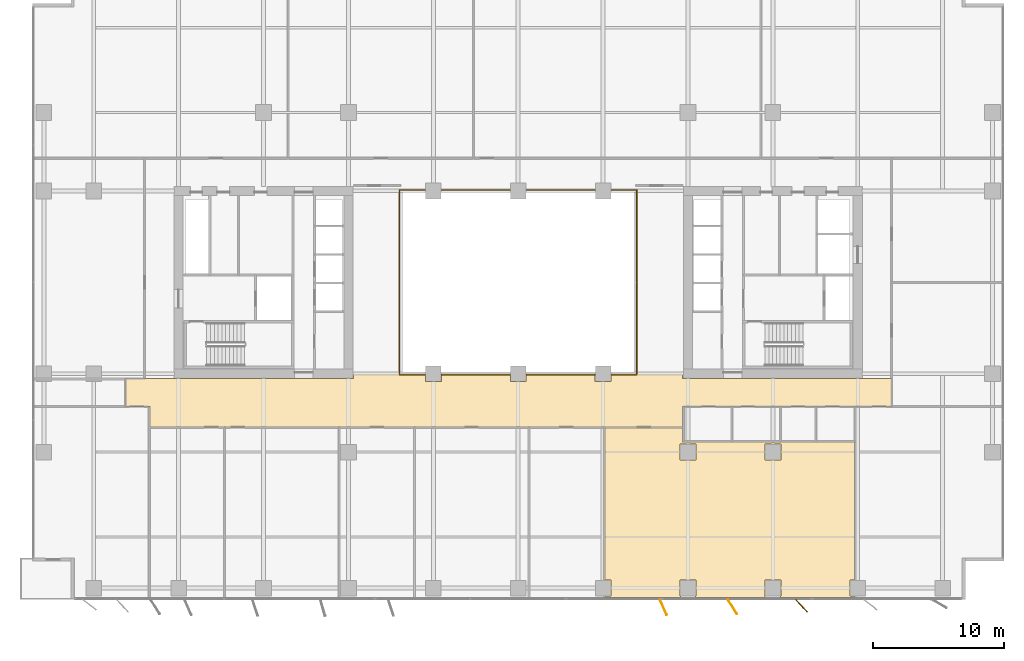
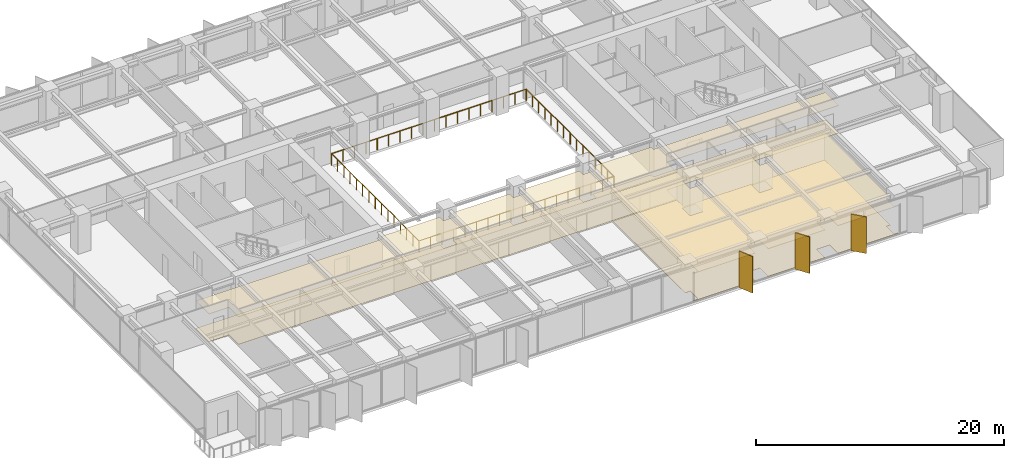
# One storey, part 18 of 20: 4 coverings, 3 shading devices, 2 railings.
"""IFC4 building model written with IfcOpenShell, lengths in metres."""

from ifc_helpers import new_model, si_unit, direction, frame, origin, origin_2d, place, context, subcontext, project, spatial, polyline, rectangle, circle, outline, extrude, material, layer, layer_set, type_object, element, save


model = new_model("IFC4")

# Units and contexts
model_context = context("Model", 3, precision=1e-05, world=origin(), true_north=direction((0.0, 1.0)))
body_context = subcontext(model_context, "Body", "Model", "MODEL_VIEW")
ifc_project = project(units=[si_unit("LENGTHUNIT", "METRE"), si_unit("AREAUNIT", "SQUARE_METRE"), si_unit("VOLUMEUNIT", "CUBIC_METRE"), si_unit("PLANEANGLEUNIT", "RADIAN"), si_unit("MASSUNIT", "GRAM", prefix="KILO")], contexts=[model_context])

# Site, building, storey
site_placement = place(None, origin())
site = spatial("IfcSite", under=ifc_project, at=site_placement, CompositionType="ELEMENT")
building_placement = place(site_placement, origin())
building = spatial("IfcBuilding", under=site, at=building_placement, Name="Putna Gate Headquarters", CompositionType="ELEMENT")
storey_placement = place(building_placement, frame((0.0, 0.0, 97.39990234375)))
storey = spatial("IfcBuildingStorey", under=building, at=storey_placement, Name="L23", CompositionType="ELEMENT", Elevation=97.39990234375)

# Coverings
ifc_material_1 = material(Name="Perforated mineral-fibre acoustic ceiling tile")
ifc_layer_1 = layer(ifc_material_1, 0.0400390625)
ifc_layer_set_1 = layer_set([ifc_layer_1], Name="Perforated mineral-fibre acoustic ceiling tile")
covering_type_1 = type_object("IfcCoveringType", Name="COV-ACOUSTIC-CEILING", PredefinedType="CEILING", material=ifc_layer_set_1)
covering_1_placement = place(storey_placement, frame((0.0, 0.0, 2.710205078125)))
element("IfcCovering", 1, at=covering_1_placement, inside=storey, type_object=covering_type_1, Name="L23 Acoustic Ceiling Covering 1", PredefinedType="CEILING", context=body_context, shape_type="SweptSolid", body=[
    extrude(outline(polyline([(10.786865234375, 16.47998046875), (10.786865234375, 14.93994140625), (51.60009765625, 14.93994140625), (51.60009765625, 16.47998046875), (67.6201171875, 16.47998046875), (67.6201171875, 18.6201171875), (51.60009765625, 18.6201171875), (51.60009765625, 18.97998046875), (46.10791015625, 18.97998046875), (46.10791015625, 18.39208984375), (44.89208984375, 18.39208984375), (44.89208984375, 18.97998046875), (39.60791015625, 18.97998046875), (39.60791015625, 18.39208984375), (38.39208984375, 18.39208984375), (38.39208984375, 18.97998046875), (33.10791015625, 18.97998046875), (33.10791015625, 18.39208984375), (31.89208984375, 18.39208984375), (31.89208984375, 18.97998046875), (26.39990234375, 18.97998046875), (26.39990234375, 18.6201171875), (8.9267578125, 18.6201171875), (8.9267578125, 16.47998046875), (10.786865234375, 16.47998046875)])), origin(), (0.0, 0.0, 1.0), 0.039794921875),
])
covering_2_placement = place(storey_placement, frame((0.0, 0.0, 2.710205078125)))
element("IfcCovering", 2, at=covering_2_placement, inside=storey, type_object=covering_type_1, Name="L23 Acoustic Ceiling Covering 2", PredefinedType="CEILING", context=body_context, shape_type="SweptSolid", body=[
    extrude(outline(polyline([(64.760009765625, 1.971923828125), (64.39208984375, 1.971923828125), (64.39208984375, 3.18798828125), (64.760009765625, 3.18798828125), (64.760009765625, 13.780029296875), (51.60009765625, 13.780029296875), (51.60009765625, 14.860107421875), (45.639892578125, 14.860107421875), (45.639892578125, 3.18798828125), (46.10791015625, 3.18798828125), (46.10791015625, 1.971923828125), (45.639892578125, 1.971923828125), (45.639892578125, 1.860107421875), (51.412109375, 1.860107421875), (51.412109375, 1.971923828125), (51.39208984375, 1.971923828125), (51.39208984375, 3.18798828125), (52.60791015625, 3.18798828125), (52.60791015625, 1.971923828125), (52.587890625, 1.971923828125), (52.587890625, 1.860107421875), (57.912109375, 1.860107421875), (57.912109375, 1.971923828125), (57.89208984375, 1.971923828125), (57.89208984375, 3.18798828125), (59.10791015625, 3.18798828125), (59.10791015625, 1.971923828125), (59.087890625, 1.971923828125), (59.087890625, 1.860107421875), (64.760009765625, 1.860107421875), (64.760009765625, 1.971923828125)]), holes=[polyline([(59.10791015625, 12.39208984375), (59.10791015625, 13.60791015625), (57.89208984375, 13.60791015625), (57.89208984375, 12.39208984375), (59.10791015625, 12.39208984375)]), polyline([(52.60791015625, 12.39208984375), (52.60791015625, 13.60791015625), (51.39208984375, 13.60791015625), (51.39208984375, 12.39208984375), (52.60791015625, 12.39208984375)])]), origin(), (0.0, 0.0, 1.0), 0.039794921875),
])
ifc_material_2 = material(Name="Calcium-sulphate raised access floor finish")
ifc_layer_2 = layer(ifc_material_2, 0.030029296875)
ifc_layer_set_2 = layer_set([ifc_layer_2], Name="Calcium-sulphate raised access floor finish")
covering_type_2 = type_object("IfcCoveringType", Name="COV-RAISED-FLOORING", PredefinedType="FLOORING", material=ifc_layer_set_2)
covering_3_placement = place(storey_placement, origin())
element("IfcCovering", 3, at=covering_3_placement, inside=storey, type_object=covering_type_2, Name="L23 Raised Access Floor Covering 1", PredefinedType="FLOORING", context=body_context, shape_type="SweptSolid", body=[
    extrude(outline(polyline([(10.786865234375, 16.47998046875), (10.786865234375, 14.93994140625), (51.60009765625, 14.93994140625), (51.60009765625, 16.47998046875), (67.6201171875, 16.47998046875), (67.6201171875, 18.6201171875), (51.60009765625, 18.6201171875), (51.60009765625, 18.97998046875), (46.10791015625, 18.97998046875), (46.10791015625, 18.39208984375), (44.89208984375, 18.39208984375), (44.89208984375, 18.97998046875), (39.60791015625, 18.97998046875), (39.60791015625, 18.39208984375), (38.39208984375, 18.39208984375), (38.39208984375, 18.97998046875), (33.10791015625, 18.97998046875), (33.10791015625, 18.39208984375), (31.89208984375, 18.39208984375), (31.89208984375, 18.97998046875), (26.39990234375, 18.97998046875), (26.39990234375, 18.6201171875), (8.9267578125, 18.6201171875), (8.9267578125, 16.47998046875), (10.786865234375, 16.47998046875)])), origin(), (0.0, 0.0, 1.0), 0.030029296875),
])
covering_4_placement = place(storey_placement, origin())
element("IfcCovering", 4, at=covering_4_placement, inside=storey, type_object=covering_type_2, Name="L23 Raised Access Floor Covering 2", PredefinedType="FLOORING", context=body_context, shape_type="SweptSolid", body=[
    extrude(outline(polyline([(64.760009765625, 1.971923828125), (64.39208984375, 1.971923828125), (64.39208984375, 3.18798828125), (64.760009765625, 3.18798828125), (64.760009765625, 13.780029296875), (51.60009765625, 13.780029296875), (51.60009765625, 14.860107421875), (45.639892578125, 14.860107421875), (45.639892578125, 3.18798828125), (46.10791015625, 3.18798828125), (46.10791015625, 1.971923828125), (45.639892578125, 1.971923828125), (45.639892578125, 1.860107421875), (51.412109375, 1.860107421875), (51.412109375, 1.971923828125), (51.39208984375, 1.971923828125), (51.39208984375, 3.18798828125), (52.60791015625, 3.18798828125), (52.60791015625, 1.971923828125), (52.587890625, 1.971923828125), (52.587890625, 1.860107421875), (57.912109375, 1.860107421875), (57.912109375, 1.971923828125), (57.89208984375, 1.971923828125), (57.89208984375, 3.18798828125), (59.10791015625, 3.18798828125), (59.10791015625, 1.971923828125), (59.087890625, 1.971923828125), (59.087890625, 1.860107421875), (64.760009765625, 1.860107421875), (64.760009765625, 1.971923828125)]), holes=[polyline([(59.10791015625, 12.39208984375), (59.10791015625, 13.60791015625), (57.89208984375, 13.60791015625), (57.89208984375, 12.39208984375), (59.10791015625, 12.39208984375)]), polyline([(52.60791015625, 12.39208984375), (52.60791015625, 13.60791015625), (51.39208984375, 13.60791015625), (51.39208984375, 12.39208984375), (52.60791015625, 12.39208984375)])]), origin(), (0.0, 0.0, 1.0), 0.030029296875),
])

# Railings
ifc_material_3 = material(Name="Anodised bronze and laminated glass atrium balustrade", Category="glass")
railing_type = type_object("IfcRailingType", Name="RAIL-ATRIUM-GUARD-1150", PredefinedType="GUARDRAIL", material=ifc_material_3)
railing_1_placement = place(storey_placement, frame((29.919921875, 25.969970703125, 0.0)))
element("IfcRailing", 5, at=railing_1_placement, inside=storey, type_object=railing_type, Name="L23 Central Atrium Glazed Balustrade South", PredefinedType="GUARDRAIL", context=body_context, shape_type="SweptSolid", body=[
    extrude(circle(Radius=0.02392578125, at=origin_2d()), frame((0.0, 0.0, 1.1259765625), z_axis=(0.0, -1.0, 0.0), x_axis=(1.0, 0.0, 0.0)), (0.0, 0.0, 1.0), 7.050048828125),
    extrude(circle(Radius=0.02392578125, at=origin_2d()), frame((0.0, -7.050048828125, 1.1259765625), z_axis=(1.0, 0.0, 0.0), x_axis=(0.0, 1.0, 0.0)), (0.0, 0.0, 1.0), 18.16015625),
    extrude(circle(Radius=0.02392578125, at=origin_2d()), frame((18.16015625, -7.050048828125, 1.1259765625), z_axis=(0.0, 1.0, 0.0), x_axis=(-1.0, 0.0, 0.0)), (0.0, 0.0, 1.0), 7.050048828125),
    extrude(circle(Radius=0.02099609375, at=origin_2d()), origin(), (0.0, 0.0, 1.0), 1.101806640625),
    extrude(circle(Radius=0.02099609375, at=origin_2d()), frame((0.0, -1.007080078125, 0.0)), (0.0, 0.0, 1.0), 1.101806640625),
    extrude(circle(Radius=0.02099609375, at=origin_2d()), frame((0.0, -2.014404296875, 0.0)), (0.0, 0.0, 1.0), 1.101806640625),
    extrude(circle(Radius=0.02099609375, at=origin_2d()), frame((0.0, -3.021484375, 0.0)), (0.0, 0.0, 1.0), 1.101806640625),
    extrude(circle(Radius=0.02099609375, at=origin_2d()), frame((0.0, -4.028564453125, 0.0)), (0.0, 0.0, 1.0), 1.101806640625),
    extrude(circle(Radius=0.02099609375, at=origin_2d()), frame((0.0, -5.03564453125, 0.0)), (0.0, 0.0, 1.0), 1.101806640625),
    extrude(circle(Radius=0.02099609375, at=origin_2d()), frame((0.0, -6.04296875, 0.0)), (0.0, 0.0, 1.0), 1.101806640625),
    extrude(circle(Radius=0.02099609375, at=origin_2d()), frame((0.0, -7.050048828125, 0.0)), (0.0, 0.0, 1.0), 1.101806640625),
    extrude(circle(Radius=0.02099609375, at=origin_2d()), frame((1.068359375, -7.050048828125, 0.0)), (0.0, 0.0, 1.0), 1.101806640625),
    extrude(circle(Radius=0.02099609375, at=origin_2d()), frame((2.136474609375, -7.050048828125, 0.0)), (0.0, 0.0, 1.0), 1.101806640625),
    extrude(circle(Radius=0.02099609375, at=origin_2d()), frame((3.204833984375, -7.050048828125, 0.0)), (0.0, 0.0, 1.0), 1.101806640625),
    extrude(circle(Radius=0.02099609375, at=origin_2d()), frame((4.27294921875, -7.050048828125, 0.0)), (0.0, 0.0, 1.0), 1.101806640625),
    extrude(circle(Radius=0.02099609375, at=origin_2d()), frame((5.34130859375, -7.050048828125, 0.0)), (0.0, 0.0, 1.0), 1.101806640625),
    extrude(circle(Radius=0.02099609375, at=origin_2d()), frame((6.409423828125, -7.050048828125, 0.0)), (0.0, 0.0, 1.0), 1.101806640625),
    extrude(circle(Radius=0.02099609375, at=origin_2d()), frame((7.477783203125, -7.050048828125, 0.0)), (0.0, 0.0, 1.0), 1.101806640625),
    extrude(circle(Radius=0.02099609375, at=origin_2d()), frame((8.5458984375, -7.050048828125, 0.0)), (0.0, 0.0, 1.0), 1.101806640625),
    extrude(circle(Radius=0.02099609375, at=origin_2d()), frame((9.6142578125, -7.050048828125, 0.0)), (0.0, 0.0, 1.0), 1.101806640625),
    extrude(circle(Radius=0.02099609375, at=origin_2d()), frame((10.682373046875, -7.050048828125, 0.0)), (0.0, 0.0, 1.0), 1.101806640625),
    extrude(circle(Radius=0.02099609375, at=origin_2d()), frame((11.750732421875, -7.050048828125, 0.0)), (0.0, 0.0, 1.0), 1.101806640625),
    extrude(circle(Radius=0.02099609375, at=origin_2d()), frame((12.81884765625, -7.050048828125, 0.0)), (0.0, 0.0, 1.0), 1.101806640625),
    extrude(circle(Radius=0.02099609375, at=origin_2d()), frame((13.88720703125, -7.050048828125, 0.0)), (0.0, 0.0, 1.0), 1.101806640625),
    extrude(circle(Radius=0.02099609375, at=origin_2d()), frame((14.955322265625, -7.050048828125, 0.0)), (0.0, 0.0, 1.0), 1.101806640625),
    extrude(circle(Radius=0.02099609375, at=origin_2d()), frame((16.023681640625, -7.050048828125, 0.0)), (0.0, 0.0, 1.0), 1.101806640625),
    extrude(circle(Radius=0.02099609375, at=origin_2d()), frame((17.091796875, -7.050048828125, 0.0)), (0.0, 0.0, 1.0), 1.101806640625),
    extrude(circle(Radius=0.02099609375, at=origin_2d()), frame((18.16015625, -7.050048828125, 0.0)), (0.0, 0.0, 1.0), 1.101806640625),
    extrude(circle(Radius=0.02099609375, at=origin_2d()), frame((18.16015625, -6.04296875, 0.0)), (0.0, 0.0, 1.0), 1.101806640625),
    extrude(circle(Radius=0.02099609375, at=origin_2d()), frame((18.16015625, -5.03564453125, 0.0)), (0.0, 0.0, 1.0), 1.101806640625),
    extrude(circle(Radius=0.02099609375, at=origin_2d()), frame((18.16015625, -4.028564453125, 0.0)), (0.0, 0.0, 1.0), 1.101806640625),
    extrude(circle(Radius=0.02099609375, at=origin_2d()), frame((18.16015625, -3.021484375, 0.0)), (0.0, 0.0, 1.0), 1.101806640625),
    extrude(circle(Radius=0.02099609375, at=origin_2d()), frame((18.16015625, -2.014404296875, 0.0)), (0.0, 0.0, 1.0), 1.101806640625),
    extrude(circle(Radius=0.02099609375, at=origin_2d()), frame((18.16015625, -1.007080078125, 0.0)), (0.0, 0.0, 1.0), 1.101806640625),
    extrude(circle(Radius=0.02099609375, at=origin_2d()), frame((18.16015625, 0.0, 0.0)), (0.0, 0.0, 1.0), 1.101806640625),
])
railing_2_placement = place(storey_placement, frame((48.080078125, 26.030029296875, 0.0)))
element("IfcRailing", 6, at=railing_2_placement, inside=storey, type_object=railing_type, Name="L23 Central Atrium Glazed Balustrade North", PredefinedType="GUARDRAIL", context=body_context, shape_type="SweptSolid", body=[
    extrude(circle(Radius=0.02392578125, at=origin_2d()), frame((0.0, 0.0, 1.1259765625), z_axis=(0.0, 1.0, 0.0), x_axis=(-1.0, 0.0, 0.0)), (0.0, 0.0, 1.0), 7.050048828125),
    extrude(circle(Radius=0.02392578125, at=origin_2d()), frame((0.0, 7.050048828125, 1.1259765625), z_axis=(-1.0, 0.0, 0.0), x_axis=(0.0, -1.0, 0.0)), (0.0, 0.0, 1.0), 18.16015625),
    extrude(circle(Radius=0.02392578125, at=origin_2d()), frame((-18.16015625, 7.050048828125, 1.1259765625), z_axis=(0.0, -1.0, 0.0), x_axis=(1.0, 0.0, 0.0)), (0.0, 0.0, 1.0), 7.050048828125),
    extrude(circle(Radius=0.02099609375, at=origin_2d()), origin(), (0.0, 0.0, 1.0), 1.101806640625),
    extrude(circle(Radius=0.02099609375, at=origin_2d()), frame((0.0, 1.007080078125, 0.0)), (0.0, 0.0, 1.0), 1.101806640625),
    extrude(circle(Radius=0.02099609375, at=origin_2d()), frame((0.0, 2.014404296875, 0.0)), (0.0, 0.0, 1.0), 1.101806640625),
    extrude(circle(Radius=0.02099609375, at=origin_2d()), frame((0.0, 3.021484375, 0.0)), (0.0, 0.0, 1.0), 1.101806640625),
    extrude(circle(Radius=0.02099609375, at=origin_2d()), frame((0.0, 4.028564453125, 0.0)), (0.0, 0.0, 1.0), 1.101806640625),
    extrude(circle(Radius=0.02099609375, at=origin_2d()), frame((0.0, 5.03564453125, 0.0)), (0.0, 0.0, 1.0), 1.101806640625),
    extrude(circle(Radius=0.02099609375, at=origin_2d()), frame((0.0, 6.04296875, 0.0)), (0.0, 0.0, 1.0), 1.101806640625),
    extrude(circle(Radius=0.02099609375, at=origin_2d()), frame((0.0, 7.050048828125, 0.0)), (0.0, 0.0, 1.0), 1.101806640625),
    extrude(circle(Radius=0.02099609375, at=origin_2d()), frame((-1.068359375, 7.050048828125, 0.0)), (0.0, 0.0, 1.0), 1.101806640625),
    extrude(circle(Radius=0.02099609375, at=origin_2d()), frame((-2.136474609375, 7.050048828125, 0.0)), (0.0, 0.0, 1.0), 1.101806640625),
    extrude(circle(Radius=0.02099609375, at=origin_2d()), frame((-3.204833984375, 7.050048828125, 0.0)), (0.0, 0.0, 1.0), 1.101806640625),
    extrude(circle(Radius=0.02099609375, at=origin_2d()), frame((-4.27294921875, 7.050048828125, 0.0)), (0.0, 0.0, 1.0), 1.101806640625),
    extrude(circle(Radius=0.02099609375, at=origin_2d()), frame((-5.34130859375, 7.050048828125, 0.0)), (0.0, 0.0, 1.0), 1.101806640625),
    extrude(circle(Radius=0.02099609375, at=origin_2d()), frame((-6.409423828125, 7.050048828125, 0.0)), (0.0, 0.0, 1.0), 1.101806640625),
    extrude(circle(Radius=0.02099609375, at=origin_2d()), frame((-7.477783203125, 7.050048828125, 0.0)), (0.0, 0.0, 1.0), 1.101806640625),
    extrude(circle(Radius=0.02099609375, at=origin_2d()), frame((-8.5458984375, 7.050048828125, 0.0)), (0.0, 0.0, 1.0), 1.101806640625),
    extrude(circle(Radius=0.02099609375, at=origin_2d()), frame((-9.6142578125, 7.050048828125, 0.0)), (0.0, 0.0, 1.0), 1.101806640625),
    extrude(circle(Radius=0.02099609375, at=origin_2d()), frame((-10.682373046875, 7.050048828125, 0.0)), (0.0, 0.0, 1.0), 1.101806640625),
    extrude(circle(Radius=0.02099609375, at=origin_2d()), frame((-11.750732421875, 7.050048828125, 0.0)), (0.0, 0.0, 1.0), 1.101806640625),
    extrude(circle(Radius=0.02099609375, at=origin_2d()), frame((-12.81884765625, 7.050048828125, 0.0)), (0.0, 0.0, 1.0), 1.101806640625),
    extrude(circle(Radius=0.02099609375, at=origin_2d()), frame((-13.88720703125, 7.050048828125, 0.0)), (0.0, 0.0, 1.0), 1.101806640625),
    extrude(circle(Radius=0.02099609375, at=origin_2d()), frame((-14.955322265625, 7.050048828125, 0.0)), (0.0, 0.0, 1.0), 1.101806640625),
    extrude(circle(Radius=0.02099609375, at=origin_2d()), frame((-16.023681640625, 7.050048828125, 0.0)), (0.0, 0.0, 1.0), 1.101806640625),
    extrude(circle(Radius=0.02099609375, at=origin_2d()), frame((-17.091796875, 7.050048828125, 0.0)), (0.0, 0.0, 1.0), 1.101806640625),
    extrude(circle(Radius=0.02099609375, at=origin_2d()), frame((-18.16015625, 7.050048828125, 0.0)), (0.0, 0.0, 1.0), 1.101806640625),
    extrude(circle(Radius=0.02099609375, at=origin_2d()), frame((-18.16015625, 6.04296875, 0.0)), (0.0, 0.0, 1.0), 1.101806640625),
    extrude(circle(Radius=0.02099609375, at=origin_2d()), frame((-18.16015625, 5.03564453125, 0.0)), (0.0, 0.0, 1.0), 1.101806640625),
    extrude(circle(Radius=0.02099609375, at=origin_2d()), frame((-18.16015625, 4.028564453125, 0.0)), (0.0, 0.0, 1.0), 1.101806640625),
    extrude(circle(Radius=0.02099609375, at=origin_2d()), frame((-18.16015625, 3.021484375, 0.0)), (0.0, 0.0, 1.0), 1.101806640625),
    extrude(circle(Radius=0.02099609375, at=origin_2d()), frame((-18.16015625, 2.014404296875, 0.0)), (0.0, 0.0, 1.0), 1.101806640625),
    extrude(circle(Radius=0.02099609375, at=origin_2d()), frame((-18.16015625, 1.007080078125, 0.0)), (0.0, 0.0, 1.0), 1.101806640625),
    extrude(circle(Radius=0.02099609375, at=origin_2d()), frame((-18.16015625, 0.0, 0.0)), (0.0, 0.0, 1.0), 1.101806640625),
])

# Shading devices
ifc_material_4 = material(Name="Anodised architectural bronze aluminium fin", Category="aluminium")
ifc_layer_3 = layer(ifc_material_4, 0.06494140625)
ifc_layer_set_3 = layer_set([ifc_layer_3], Name="Anodised architectural bronze aluminium fin")
shading_device_type = type_object("IfcShadingDeviceType", Name="SHADE-BRONZE-FIN-1320", PredefinedType="USERDEFINED", material=ifc_layer_set_3)
for number, where, z_axis, x_axis, name in (
    (7, (50.114501953125, 1.120361328125, -0.019775390625), (0.0, 0.0, 1.0), (0.400668879095, -0.916222925562, 0.0), "L23 Bronze Vertical Shading Fin S8"),
    (8, (55.400146484375, 1.16552734375, -0.019775390625), (0.0, 0.0, 1.0), (0.530659123936, -0.847585331506, 0.0), "L23 Bronze Vertical Shading Fin S9"),
    (9, (60.691650390625, 1.234619140625, -0.019775390625), (0.0, 0.0, 1.0), (0.669130606359, -0.743144825477, 0.0), "L23 Bronze Vertical Shading Fin S10"),
):
    element("IfcShadingDevice", number, at=place(storey_placement, frame(where, z_axis=z_axis, x_axis=x_axis)), inside=storey, type_object=shading_device_type, Name=name, ObjectType="FIN", PredefinedType="USERDEFINED", context=body_context, shape_type="SweptSolid", body=[
        extrude(rectangle(XDim=1.320068359375, YDim=0.06494140625, at=origin_2d()), origin(), (0.0, 0.0, 1.0), 3.60498046875),
    ])

save(model, "model.ifc")
